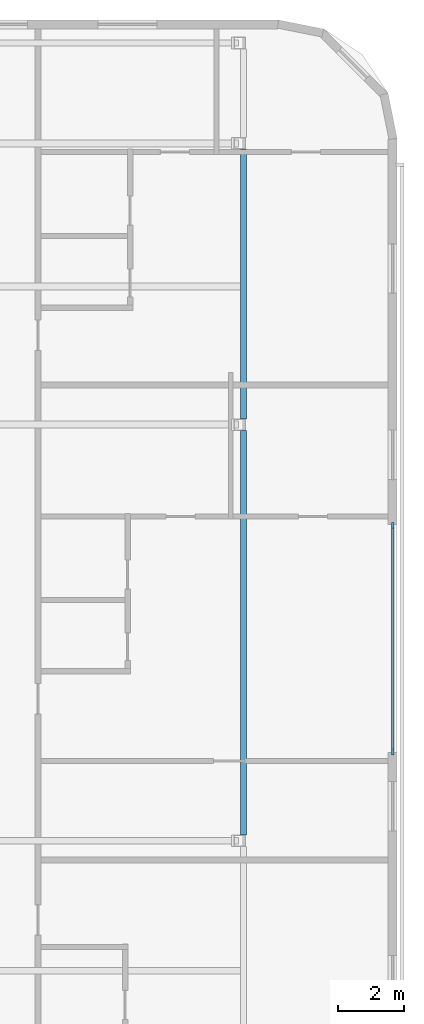
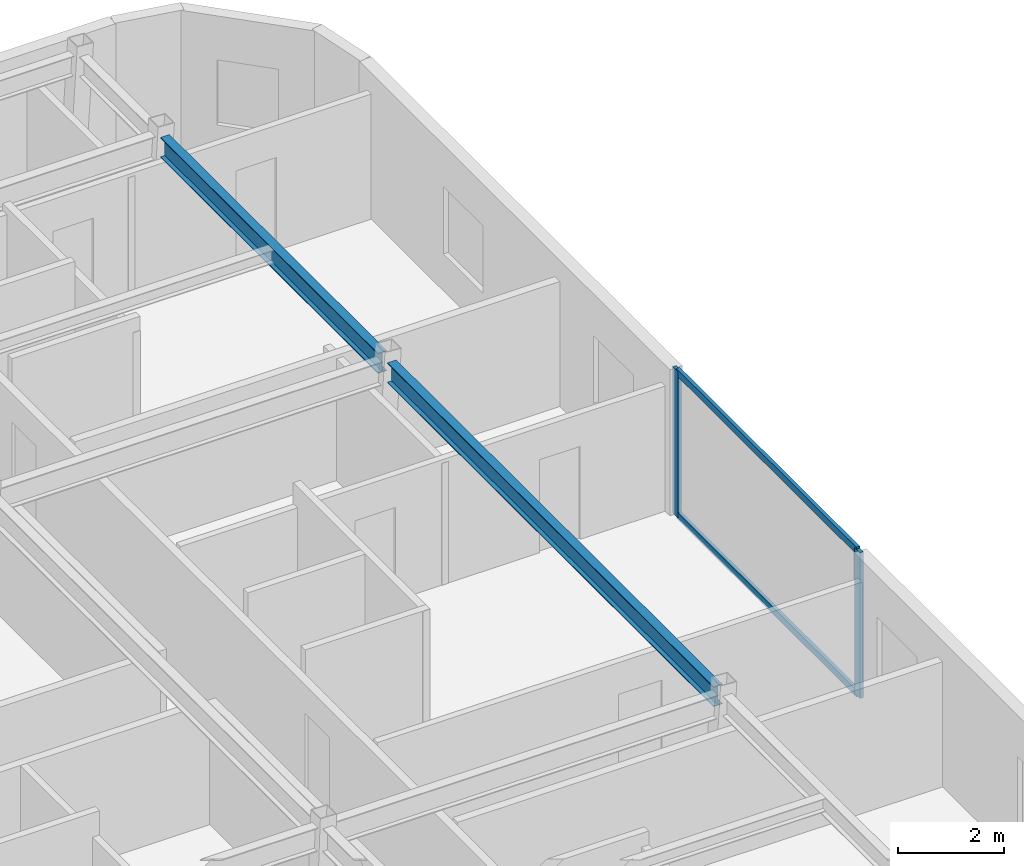
# One storey, part 2 of 10: 4 members, 2 beams, 1 element without a shape of its own.
"""IFC4 building model written with IfcOpenShell, lengths in metres."""

from ifc_helpers import new_model, si_unit, direction, frame, origin, origin_2d, place, context, subcontext, project, spatial, rectangle, i_section, extrude, material, layer, layer_set, material_profile, profile_set, type_object, element, aggregate, save


model = new_model("IFC4")

# Units and contexts
model_context = context("Model", 3, precision=1e-05, world=origin(), true_north=direction((0.0, 1.0)))
body_context = subcontext(model_context, "Body", "Model", "MODEL_VIEW")
ifc_project = project(units=[si_unit("LENGTHUNIT", "METRE"), si_unit("AREAUNIT", "SQUARE_METRE"), si_unit("VOLUMEUNIT", "CUBIC_METRE"), si_unit("PLANEANGLEUNIT", "RADIAN"), si_unit("MASSUNIT", "GRAM", prefix="KILO")], contexts=[model_context])

# Site, building, storey
site_placement = place(None, origin())
site = spatial("IfcSite", under=ifc_project, at=site_placement, CompositionType="ELEMENT")
building_placement = place(site_placement, origin())
building = spatial("IfcBuilding", under=site, at=building_placement, Name="Ochreholt Gables", CompositionType="ELEMENT")
storey_placement = place(building_placement, frame((0.0, 0.0, 256.800048828125)))
storey = spatial("IfcBuildingStorey", under=building, at=storey_placement, Name="L67", CompositionType="ELEMENT", Elevation=256.800048828125)

# Beams
ifc_material_1 = material(Name="Steel CSA G40.21 350W", Category="steel")
ifc_material_profile_1 = material_profile(ifc_material_1, i_section(OverallWidth=0.19189453125, OverallDepth=0.462890625, WebThickness=0.010498046875, FlangeThickness=0.017578125, at=origin_2d()), Name="W460X89")
ifc_profile_set_1 = profile_set([ifc_material_profile_1], Name="Steel CSA G40.21 350W")
beam_type = type_object("IfcBeamType", Name="BM-SP-W460A", PredefinedType="SPANDREL", material=ifc_profile_set_1)
beam_1_placement = place(storey_placement, frame((57.731689453125, 17.7275390625, 3.12841796875), z_axis=(0.0, 1.0, 0.0), x_axis=(-1.0, 0.0, 0.0)))
element("IfcBeam", 1, at=beam_1_placement, inside=storey, type_object=beam_type, Name="L67 Beam TBN-L67-EE-Y3Y4", PredefinedType="SPANDREL", context=body_context, shape_type="SweptSolid", body=[
    extrude(i_section(OverallWidth=0.19189453125, OverallDepth=0.462890625, WebThickness=0.010498046875, FlangeThickness=0.017578125, at=origin_2d()), origin(), (0.0, 0.0, 1.0), 12.294921875),
])
beam_2_placement = place(storey_placement, frame((57.731689453125, 30.377685546875, 3.12841796875), z_axis=(0.0, 1.0, 0.0), x_axis=(-1.0, 0.0, 0.0)))
element("IfcBeam", 2, at=beam_2_placement, inside=storey, type_object=beam_type, Name="L67 Beam TBN-L67-EE-Y4Y5", PredefinedType="SPANDREL", context=body_context, shape_type="SweptSolid", body=[
    extrude(i_section(OverallWidth=0.19189453125, OverallDepth=0.462890625, WebThickness=0.010498046875, FlangeThickness=0.017578125, at=origin_2d()), origin(), (0.0, 0.0, 1.0), 8.19482421875),
])

# Curtain wall, members
ifc_material_2 = material(Name="Unitised Aluminium and Triple Glazing", Category="aluminium")
ifc_layer = layer(ifc_material_2, 0.2099609375, Name="Unitised Aluminium and Triple Glazing")
ifc_layer_set = layer_set([ifc_layer], Name="Unitised Aluminium and Triple Glazing")
curtain_wall_type = type_object("IfcCurtainWallType", Name="CW-SYS5", PredefinedType="NOTDEFINED", material=ifc_layer_set)
curtain_wall_placement = place(storey_placement, origin())
curtain_wall = element("IfcCurtainWall", 3, at=curtain_wall_placement, inside=storey, type_object=curtain_wall_type, Name="L67 East Unitised Curtain Wall", PredefinedType="NOTDEFINED")
ifc_material_3 = material(Name="Anodized Aluminium 6063-T6", Category="aluminium")
ifc_material_profile_2 = material_profile(ifc_material_3, rectangle(XDim=0.074951171875, YDim=0.199951171875, at=origin_2d()), Name="CWM75X200")
ifc_profile_set_2 = profile_set([ifc_material_profile_2], Name="Anodized Aluminium 6063-T6")
member_type_1 = type_object("IfcMemberType", Name="CW-MUL-A", PredefinedType="MULLION", material=ifc_profile_set_2)
member_1_placement = place(storey_placement, frame((62.264892578125, 20.262939453125, 0.0), z_axis=(0.0, 0.0, 1.0), x_axis=(-1.0, 0.0, 0.0)))
member_1 = element("IfcMember", 4, at=member_1_placement, type_object=member_type_1, Name="CW-5 mullion 1", PredefinedType="MULLION", context=body_context, shape_type="SweptSolid", body=[
    extrude(rectangle(XDim=0.074951171875, YDim=0.199951171875, at=origin_2d()), origin(), (0.0, 0.0, 1.0), 3.35986328125),
])
member_2_placement = place(storey_placement, frame((62.264892578125, 27.12255859375, 0.0), z_axis=(0.0, 0.0, 1.0), x_axis=(-1.0, 0.0, 0.0)))
member_2 = element("IfcMember", 5, at=member_2_placement, type_object=member_type_1, Name="CW-5 mullion 2", PredefinedType="MULLION", context=body_context, shape_type="SweptSolid", body=[
    extrude(rectangle(XDim=0.074951171875, YDim=0.199951171875, at=origin_2d()), origin(), (0.0, 0.0, 1.0), 3.35986328125),
])
ifc_material_profile_3 = material_profile(ifc_material_3, rectangle(XDim=0.074951171875, YDim=0.159912109375, at=origin_2d()), Name="CWT75X160")
ifc_profile_set_3 = profile_set([ifc_material_profile_3], Name="Anodized Aluminium 6063-T6")
member_type_2 = type_object("IfcMemberType", Name="CW-TRN-A", PredefinedType="USERDEFINED", material=ifc_profile_set_3)
member_3_placement = place(storey_placement, frame((62.264892578125, 20.30029296875, 0.037353515625), z_axis=(0.0, 1.0, 0.0), x_axis=(-1.0, 0.0, 0.0)))
member_3 = element("IfcMember", 6, at=member_3_placement, type_object=member_type_2, Name="CW-5 transom 1.1", ObjectType="TRANSOM", PredefinedType="USERDEFINED", context=body_context, shape_type="SweptSolid", body=[
    extrude(rectangle(XDim=0.074951171875, YDim=0.159912109375, at=origin_2d()), origin(), (0.0, 0.0, 1.0), 6.78466796875),
])
member_4_placement = place(storey_placement, frame((62.264892578125, 20.30029296875, 3.322509765625), z_axis=(0.0, 1.0, 0.0), x_axis=(-1.0, 0.0, 0.0)))
member_4 = element("IfcMember", 7, at=member_4_placement, type_object=member_type_2, Name="CW-5 transom 1.2", ObjectType="TRANSOM", PredefinedType="USERDEFINED", context=body_context, shape_type="SweptSolid", body=[
    extrude(rectangle(XDim=0.074951171875, YDim=0.159912109375, at=origin_2d()), origin(), (0.0, 0.0, 1.0), 6.78466796875),
])
aggregate(curtain_wall, [member_1, member_2, member_3, member_4])

save(model, "model.ifc")
